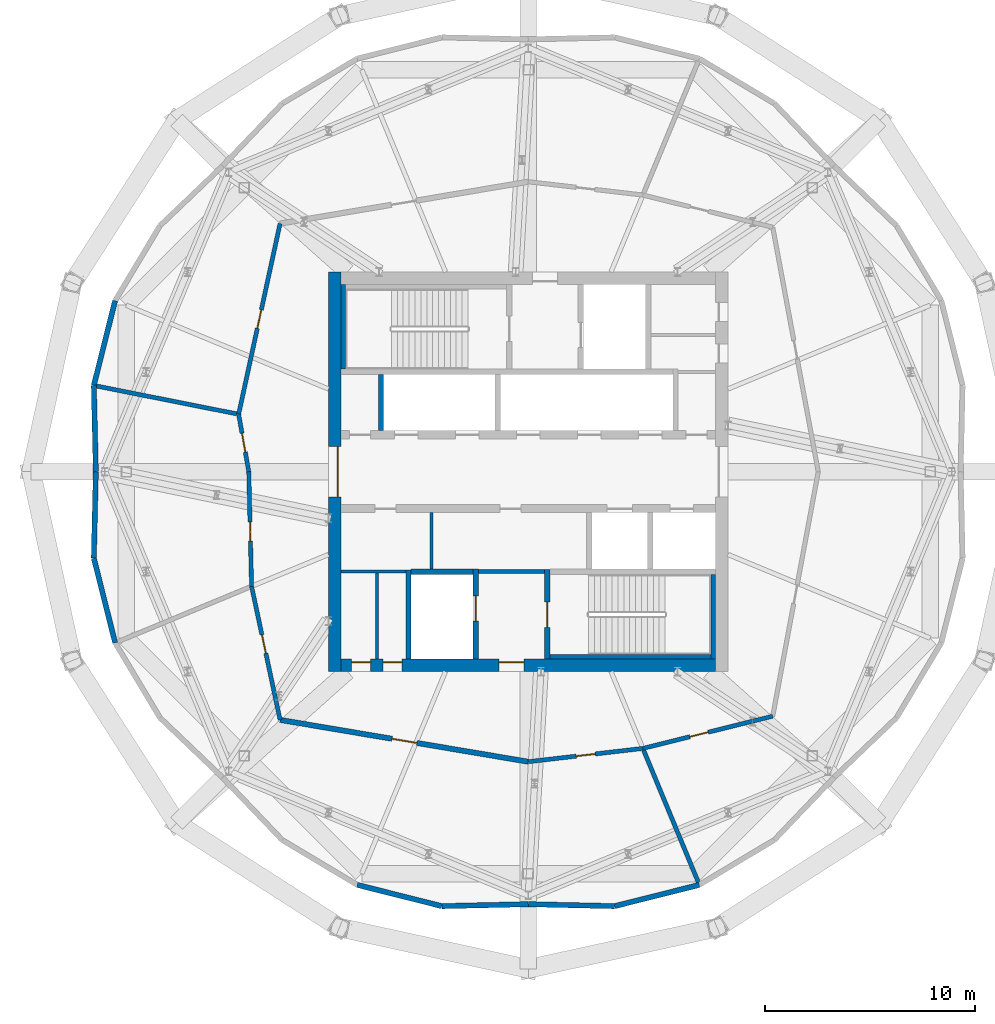
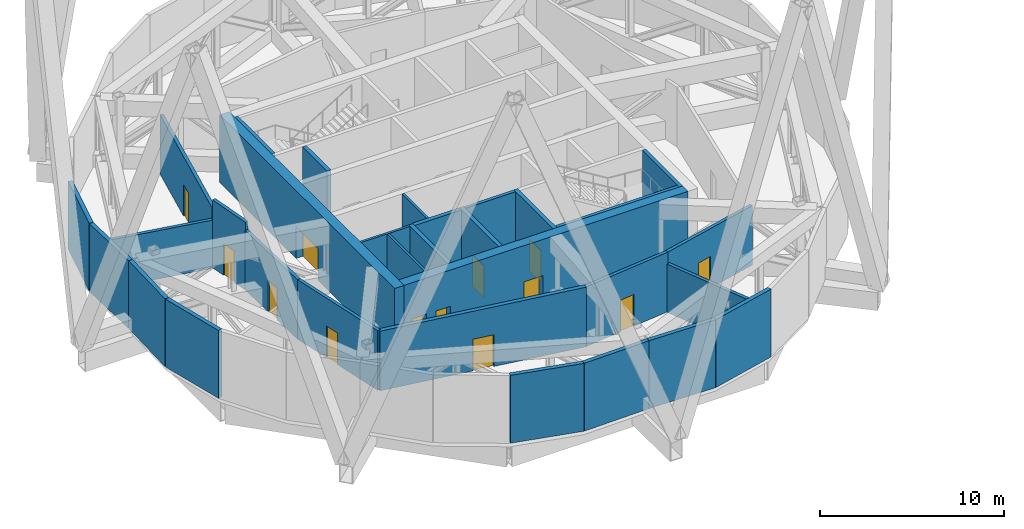
# One storey, part 12 of 19: 31 walls, 13 doors, 13 openings.
"""IFC4 building model written with IfcOpenShell, lengths in metres."""

from ifc_helpers import new_model, si_unit, direction, frame, frame_2d, origin, place, context, subcontext, project, spatial, rectangle, extrude, material, layer, layer_set, type_object, element, fill, save


model = new_model("IFC4")

# Units and contexts
model_context = context("Model", 3, precision=1e-05, world=origin(), true_north=direction((0.0, 1.0)))
body_context = subcontext(model_context, "Body", "Model", "MODEL_VIEW")
ifc_project = project(units=[si_unit("LENGTHUNIT", "METRE"), si_unit("AREAUNIT", "SQUARE_METRE"), si_unit("VOLUMEUNIT", "CUBIC_METRE"), si_unit("PLANEANGLEUNIT", "RADIAN"), si_unit("MASSUNIT", "GRAM", prefix="KILO")], contexts=[model_context])

# Site, building, storey
site_placement = place(None, origin())
site = spatial("IfcSite", under=ifc_project, at=site_placement, CompositionType="ELEMENT")
building_placement = place(site_placement, origin())
building = spatial("IfcBuilding", under=site, at=building_placement, Name="Ogive Gate Towers", CompositionType="ELEMENT")
storey_placement = place(building_placement, frame((0.0, 0.0, 216.300048828125)))
storey = spatial("IfcBuildingStorey", under=building, at=storey_placement, Name="L52", CompositionType="ELEMENT", Elevation=216.300048828125)

# Walls
ifc_material_1 = material(Name="Masonry blockwork", Category="masonry")
ifc_layer_1 = layer(ifc_material_1, 0.199951171875)
ifc_layer_set_1 = layer_set([ifc_layer_1], Name="Blockwork wall 200 mm")
wall_type_1 = type_object("IfcWallType", Name="Blockwork wall 200 mm", PredefinedType="PARTITIONING", material=ifc_layer_set_1)
wall_1_placement = place(storey_placement, frame((-38.375, -4.75, 0.0), z_axis=(0.0, 0.0, 1.0), x_axis=(1.0, 0.0, 0.0)))
element("IfcWall", 1, at=wall_1_placement, inside=storey, type_object=wall_type_1, Name="T1 L52 Blockwork wall 200 mm", PredefinedType="PARTITIONING", context=body_context, shape_type="SweptSolid", body=[
    extrude(rectangle(XDim=3.14990234375, YDim=0.199951171875, at=frame_2d((1.574951171875, 0.0))), origin(), (0.0, 0.0, 1.0), 4.5),
])
ifc_material_2 = material(Name="Fire-rated block compartment wall")
ifc_layer_2 = layer(ifc_material_2, 0.199951171875)
ifc_layer_set_2 = layer_set([ifc_layer_2], Name="Compartment wall 200")
wall_type_2 = type_object("IfcWallType", Name="Compartment wall 200", PredefinedType="PARTITIONING", material=ifc_layer_set_2)
for number, where, z_axis, x_axis, name in (
    (2, (-56.685791015625, 4.10595703125, 0.0), (0.0, 0.0, 1.0), (0.980867447116, -0.194676786463, 0.0), "Partition T1-L52-002"),
    (3, (-27.852783203125, -19.66943359375, 0.0), (0.0, 0.0, 1.0), (-0.382678639085, 0.923881517938, 0.0), "Partition T1-L52-004"),
):
    element("IfcWall", number, at=place(storey_placement, frame(where, z_axis=z_axis, x_axis=x_axis)), inside=storey, type_object=wall_type_2, Name=name, PredefinedType="PARTITIONING", context=body_context, shape_type="SweptSolid", body=[
        extrude(rectangle(XDim=6.948974609375, YDim=0.199951171875, at=frame_2d((3.474609375, 0.0))), origin(), (0.0, 0.0, 1.0), 3.199951171875),
    ])

# Wall, opening, door
wall_2_placement = place(storey_placement, frame((-47.8017578125, 11.8017578125, 0.0), z_axis=(0.0, 0.0, 1.0), x_axis=(-0.212289832387, -0.977206747349, 0.0)))
wall_2 = element("IfcWall", 4, at=wall_2_placement, inside=storey, type_object=wall_type_2, Name="Partition T1-L52-009", PredefinedType="PARTITIONING", context=body_context, shape_type="SweptSolid", body=[
    extrude(rectangle(XDim=9.279541015625, YDim=0.199951171875, at=frame_2d((4.6396484375, 0.0))), origin(), (0.0, 0.0, 1.0), 3.949951171875),
])
opening_1_placement = place(wall_2_placement, frame((4.199951171875, 0.0, 0.0)))
opening_1 = element("IfcOpeningElement", 5, at=opening_1_placement, cuts=wall_2, Name="Opening T1-L52-D05", PredefinedType="OPENING", context=body_context, shape_type="SweptSolid", body=[
    extrude(rectangle(XDim=0.89990234375, YDim=2.10009765625, at=frame_2d((0.449951171875, 1.050048828125))), frame((0.0, 0.10986328125, 0.0), z_axis=(0.0, -1.0, 0.0), x_axis=(1.0, 0.0, 0.0)), (0.0, 0.0, 1.0), 0.219970703125),
])
ifc_material_3 = material(Name="Steel fire door", Category="steel")
door_type_1 = type_object("IfcDoorType", Name="Fire door 900 FD30S", OperationType="NOTDEFINED", PredefinedType="DOOR", material=ifc_material_3)
door_1_placement = place(opening_1_placement, origin())
door_1 = element("IfcDoor", 6, at=door_1_placement, inside=storey, type_object=door_type_1, Name="Door T1-L52-D05", OperationType="SINGLE_SWING_LEFT", OverallHeight=2.10009765625, OverallWidth=0.89990234375, PredefinedType="DOOR", context=body_context, shape_type="SweptSolid", body=[
    extrude(rectangle(XDim=0.89990234375, YDim=2.10009765625, at=frame_2d((0.449951171875, 1.050048828125))), frame((0.0, 0.02490234375, 0.0), z_axis=(0.0, -1.0, 0.0), x_axis=(1.0, 0.0, 0.0)), (0.0, 0.0, 1.0), 0.050048828125),
])
fill(opening_1, door_1)

wall_3_placement = place(storey_placement, frame((-49.771728515625, 2.733642578125, 0.0), z_axis=(0.0, 0.0, 1.0), x_axis=(0.173534451019, -0.984827799318, 0.0)))
wall_3 = element("IfcWall", 7, at=wall_3_placement, inside=storey, type_object=wall_type_2, Name="Partition T1-L52-010", PredefinedType="PARTITIONING", context=body_context, shape_type="SweptSolid", body=[
    extrude(rectangle(XDim=2.77587890625, YDim=0.199951171875, at=frame_2d((1.387939453125, 0.0))), origin(), (0.0, 0.0, 1.0), 4.5),
])
opening_2_placement = place(wall_3_placement, frame((0.923095703125, 0.0, 0.0)))
opening_2 = element("IfcOpeningElement", 8, at=opening_2_placement, cuts=wall_3, Name="Opening T1-L52-D06", PredefinedType="OPENING", context=body_context, shape_type="SweptSolid", body=[
    extrude(rectangle(XDim=0.89990234375, YDim=2.10009765625, at=frame_2d((0.449951171875, 1.050048828125))), frame((0.0, 0.10986328125, 0.0), z_axis=(0.0, -1.0, 0.0), x_axis=(1.0, 0.0, 0.0)), (0.0, 0.0, 1.0), 0.219970703125),
])
door_2_placement = place(opening_2_placement, origin())
door_2 = element("IfcDoor", 9, at=door_2_placement, inside=storey, type_object=door_type_1, Name="Door T1-L52-D06", OperationType="SINGLE_SWING_RIGHT", OverallHeight=2.10009765625, OverallWidth=0.89990234375, PredefinedType="DOOR", context=body_context, shape_type="SweptSolid", body=[
    extrude(rectangle(XDim=0.89990234375, YDim=2.10009765625, at=frame_2d((0.449951171875, 1.050048828125))), frame((0.0, 0.02490234375, 0.0), z_axis=(0.0, -1.0, 0.0), x_axis=(1.0, 0.0, 0.0)), (0.0, 0.0, 1.0), 0.050048828125),
])
fill(opening_2, door_2)

wall_4_placement = place(storey_placement, frame((-49.2900390625, 0.0, 0.0), z_axis=(0.0, 0.0, 1.0), x_axis=(0.024408101087, -0.999702077922, 0.0)))
wall_4 = element("IfcWall", 10, at=wall_4_placement, inside=storey, type_object=wall_type_2, Name="Partition T1-L52-011", PredefinedType="PARTITIONING", context=body_context, shape_type="SweptSolid", body=[
    extrude(rectangle(XDim=5.451416015625, YDim=0.199951171875, at=frame_2d((2.7255859375, 0.0))), origin(), (0.0, 0.0, 1.0), 3.949951171875),
])
opening_3_placement = place(wall_4_placement, frame((2.39990234375, 0.0, 0.0)))
opening_3 = element("IfcOpeningElement", 11, at=opening_3_placement, cuts=wall_4, Name="Opening T1-L52-D07", PredefinedType="OPENING", context=body_context, shape_type="SweptSolid", body=[
    extrude(rectangle(XDim=0.89990234375, YDim=2.10009765625, at=frame_2d((0.449951171875, 1.050048828125))), frame((0.0, 0.10986328125, 0.0), z_axis=(0.0, -1.0, 0.0), x_axis=(1.0, 0.0, 0.0)), (0.0, 0.0, 1.0), 0.219970703125),
])
door_3_placement = place(opening_3_placement, origin())
door_3 = element("IfcDoor", 12, at=door_3_placement, inside=storey, type_object=door_type_1, Name="Door T1-L52-D07", OperationType="SINGLE_SWING_RIGHT", OverallHeight=2.10009765625, OverallWidth=0.89990234375, PredefinedType="DOOR", context=body_context, shape_type="SweptSolid", body=[
    extrude(rectangle(XDim=0.89990234375, YDim=2.10009765625, at=frame_2d((0.449951171875, 1.050048828125))), frame((0.0, 0.02490234375, 0.0), z_axis=(0.0, -1.0, 0.0), x_axis=(1.0, 0.0, 0.0)), (0.0, 0.0, 1.0), 0.050048828125),
])
fill(opening_3, door_3)

wall_5_placement = place(storey_placement, frame((-49.156982421875, -5.44970703125, 0.0), z_axis=(0.0, 0.0, 1.0), x_axis=(0.208656208398, -0.977989052442, 0.0)))
wall_5 = element("IfcWall", 13, at=wall_5_placement, inside=storey, type_object=wall_type_2, Name="Partition T1-L52-012", PredefinedType="PARTITIONING", context=body_context, shape_type="SweptSolid", body=[
    extrude(rectangle(XDim=6.4951171875, YDim=0.199951171875, at=frame_2d((3.24755859375, 0.0))), origin(), (0.0, 0.0, 1.0), 3.949951171875),
])
opening_4_placement = place(wall_5_placement, frame((2.35009765625, 0.0, 0.0)))
opening_4 = element("IfcOpeningElement", 14, at=opening_4_placement, cuts=wall_5, Name="Opening T1-L52-D08", PredefinedType="OPENING", context=body_context, shape_type="SweptSolid", body=[
    extrude(rectangle(XDim=0.89990234375, YDim=2.10009765625, at=frame_2d((0.449951171875, 1.050048828125))), frame((0.0, 0.10986328125, 0.0), z_axis=(0.0, -1.0, 0.0), x_axis=(1.0, 0.0, 0.0)), (0.0, 0.0, 1.0), 0.219970703125),
])
door_4_placement = place(opening_4_placement, origin())
door_4 = element("IfcDoor", 15, at=door_4_placement, inside=storey, type_object=door_type_1, Name="Door T1-L52-D08", OperationType="SINGLE_SWING_RIGHT", OverallHeight=2.10009765625, OverallWidth=0.89990234375, PredefinedType="DOOR", context=body_context, shape_type="SweptSolid", body=[
    extrude(rectangle(XDim=0.89990234375, YDim=2.10009765625, at=frame_2d((0.449951171875, 1.050048828125))), frame((0.0, 0.02490234375, 0.0), z_axis=(0.0, -1.0, 0.0), x_axis=(1.0, 0.0, 0.0)), (0.0, 0.0, 1.0), 0.050048828125),
])
fill(opening_4, door_4)

wall_6_placement = place(storey_placement, frame((-36.0, -13.7900390625, 0.0), z_axis=(0.0, 0.0, 1.0), x_axis=(0.993320552752, 0.115387518739, 0.0)))
wall_6 = element("IfcWall", 16, at=wall_6_placement, inside=storey, type_object=wall_type_2, Name="Partition T1-L52-014", PredefinedType="PARTITIONING", context=body_context, shape_type="SweptSolid", body=[
    extrude(rectangle(XDim=5.486328125, YDim=0.199951171875, at=frame_2d((2.7431640625, 0.0))), origin(), (0.0, 0.0, 1.0), 3.949951171875),
])
opening_5_placement = place(wall_6_placement, frame((2.300048828125, 0.0, 0.0)))
opening_5 = element("IfcOpeningElement", 17, at=opening_5_placement, cuts=wall_6, Name="Opening T1-L52-D10", PredefinedType="OPENING", context=body_context, shape_type="SweptSolid", body=[
    extrude(rectangle(XDim=0.89990234375, YDim=2.10009765625, at=frame_2d((0.449951171875, 1.050048828125))), frame((0.0, 0.10986328125, 0.0), z_axis=(0.0, -1.0, 0.0), x_axis=(1.0, 0.0, 0.0)), (0.0, 0.0, 1.0), 0.219970703125),
])
door_5_placement = place(opening_5_placement, origin())
door_5 = element("IfcDoor", 18, at=door_5_placement, inside=storey, type_object=door_type_1, Name="Door T1-L52-D10", OperationType="SINGLE_SWING_LEFT", OverallHeight=2.10009765625, OverallWidth=0.89990234375, PredefinedType="DOOR", context=body_context, shape_type="SweptSolid", body=[
    extrude(rectangle(XDim=0.89990234375, YDim=2.10009765625, at=frame_2d((0.449951171875, 1.050048828125))), frame((0.0, 0.02490234375, 0.0), z_axis=(0.0, -1.0, 0.0), x_axis=(1.0, 0.0, 0.0)), (0.0, 0.0, 1.0), 0.050048828125),
])
fill(opening_5, door_5)

wall_7_placement = place(storey_placement, frame((-30.55029296875, -13.156982421875, 0.0), z_axis=(0.0, 0.0, 1.0), x_axis=(0.970578810026, 0.240783665411, 0.0)))
wall_7 = element("IfcWall", 19, at=wall_7_placement, inside=storey, type_object=wall_type_2, Name="Partition T1-L52-015", PredefinedType="PARTITIONING", context=body_context, shape_type="SweptSolid", body=[
    extrude(rectangle(XDim=6.362548828125, YDim=0.199951171875, at=frame_2d((3.18115234375, 0.0))), origin(), (0.0, 0.0, 1.0), 3.949951171875),
])
opening_6_placement = place(wall_7_placement, frame((2.300048828125, 0.0, 0.0)))
opening_6 = element("IfcOpeningElement", 20, at=opening_6_placement, cuts=wall_7, Name="Opening T1-L52-D11", PredefinedType="OPENING", context=body_context, shape_type="SweptSolid", body=[
    extrude(rectangle(XDim=0.89990234375, YDim=2.10009765625, at=frame_2d((0.449951171875, 1.050048828125))), frame((0.0, 0.10986328125, 0.0), z_axis=(0.0, -1.0, 0.0), x_axis=(1.0, 0.0, 0.0)), (0.0, 0.0, 1.0), 0.219970703125),
])
door_6_placement = place(opening_6_placement, origin())
door_6 = element("IfcDoor", 21, at=door_6_placement, inside=storey, type_object=door_type_1, Name="Door T1-L52-D11", OperationType="SINGLE_SWING_RIGHT", OverallHeight=2.10009765625, OverallWidth=0.89990234375, PredefinedType="DOOR", context=body_context, shape_type="SweptSolid", body=[
    extrude(rectangle(XDim=0.89990234375, YDim=2.10009765625, at=frame_2d((0.449951171875, 1.050048828125))), frame((0.0, 0.02490234375, 0.0), z_axis=(0.0, -1.0, 0.0), x_axis=(1.0, 0.0, 0.0)), (0.0, 0.0, 1.0), 0.050048828125),
])
fill(opening_6, door_6)

# Wall, openings, doors
ifc_material_4 = material(Name="Concrete C60/75", Category="concrete")
ifc_layer_3 = layer(ifc_material_4, 0.60009765625)
ifc_layer_set_3 = layer_set([ifc_layer_3], Name="Core wall 600 mm")
wall_type_3 = type_object("IfcWallType", Name="Core wall 600 mm", PredefinedType="SHEAR", material=ifc_layer_set_3)
wall_8_placement = place(storey_placement, frame((-44.89990234375, -9.199951171875, 0.0), z_axis=(0.0, 0.0, 1.0), x_axis=(1.0, 0.0, 0.0)))
wall_8 = element("IfcWall", 22, at=wall_8_placement, inside=storey, type_object=wall_type_3, Name="T1 L52 Core wall 600 mm", PredefinedType="SHEAR", context=body_context, shape_type="SweptSolid", body=[
    extrude(rectangle(XDim=17.7998046875, YDim=0.60009765625, at=frame_2d((8.89990234375, 0.0))), origin(), (0.0, 0.0, 1.0), 4.5),
])
opening_7_placement = place(wall_8_placement, frame((7.5, 0.0, 0.0)))
opening_7 = element("IfcOpeningElement", 23, at=opening_7_placement, cuts=wall_8, Name="Opening KD-T1-L52-19", PredefinedType="OPENING", context=body_context, shape_type="SweptSolid", body=[
    extrude(rectangle(XDim=1.199951171875, YDim=2.10009765625, at=frame_2d((0.60009765625, 1.050048828125))), frame((0.0, 0.31005859375, 0.0), z_axis=(0.0, -1.0, 0.0), x_axis=(1.0, 0.0, 0.0)), (0.0, 0.0, 1.0), 0.6201171875),
])
opening_8_placement = place(wall_8_placement, frame((0.5, 0.0, 0.0)))
opening_8 = element("IfcOpeningElement", 24, at=opening_8_placement, cuts=wall_8, Name="Opening KD-T1-L52-22", PredefinedType="OPENING", context=body_context, shape_type="SweptSolid", body=[
    extrude(rectangle(XDim=0.89990234375, YDim=2.10009765625, at=frame_2d((0.449951171875, 1.050048828125))), frame((0.0, 0.31005859375, 0.0), z_axis=(0.0, -1.0, 0.0), x_axis=(1.0, 0.0, 0.0)), (0.0, 0.0, 1.0), 0.6201171875),
])
opening_9_placement = place(wall_8_placement, frame((2.0, 0.0, 0.0)))
opening_9 = element("IfcOpeningElement", 25, at=opening_9_placement, cuts=wall_8, Name="Opening KD-T1-L52-23", PredefinedType="OPENING", context=body_context, shape_type="SweptSolid", body=[
    extrude(rectangle(XDim=0.89990234375, YDim=2.10009765625, at=frame_2d((0.449951171875, 1.050048828125))), frame((0.0, 0.31005859375, 0.0), z_axis=(0.0, -1.0, 0.0), x_axis=(1.0, 0.0, 0.0)), (0.0, 0.0, 1.0), 0.6201171875),
])
door_type_2 = type_object("IfcDoorType", Name="Core door FD60S 1200 x 2100", OperationType="NOTDEFINED", PredefinedType="DOOR", material=ifc_material_3)
door_7_placement = place(opening_7_placement, origin())
door_7 = element("IfcDoor", 26, at=door_7_placement, inside=storey, type_object=door_type_2, Name="T1 L52 Fire-fighting lobby door", OperationType="SINGLE_SWING_RIGHT", OverallHeight=2.10009765625, OverallWidth=1.199951171875, PredefinedType="DOOR", context=body_context, shape_type="SweptSolid", body=[
    extrude(rectangle(XDim=1.199951171875, YDim=2.10009765625, at=frame_2d((0.60009765625, 1.050048828125))), frame((0.0, 0.1748046875, 0.0), z_axis=(0.0, -1.0, 0.0), x_axis=(1.0, 0.0, 0.0)), (0.0, 0.0, 1.0), 0.050048828125),
])
fill(opening_7, door_7)
door_type_3 = type_object("IfcDoorType", Name="Core door FD60S 900 x 2100", OperationType="NOTDEFINED", PredefinedType="DOOR", material=ifc_material_3)
door_8_placement = place(opening_8_placement, origin())
door_8 = element("IfcDoor", 27, at=door_8_placement, inside=storey, type_object=door_type_3, Name="T1 L52 Core door", OperationType="SINGLE_SWING_LEFT", OverallHeight=2.10009765625, OverallWidth=0.89990234375, PredefinedType="DOOR", context=body_context, shape_type="SweptSolid", body=[
    extrude(rectangle(XDim=0.89990234375, YDim=2.10009765625, at=frame_2d((0.449951171875, 1.050048828125))), frame((0.0, 0.1748046875, 0.0), z_axis=(0.0, -1.0, 0.0), x_axis=(1.0, 0.0, 0.0)), (0.0, 0.0, 1.0), 0.050048828125),
])
fill(opening_8, door_8)
door_9_placement = place(opening_9_placement, origin())
door_9 = element("IfcDoor", 28, at=door_9_placement, inside=storey, type_object=door_type_3, Name="T1 L52 Core door", OperationType="SINGLE_SWING_RIGHT", OverallHeight=2.10009765625, OverallWidth=0.89990234375, PredefinedType="DOOR", context=body_context, shape_type="SweptSolid", body=[
    extrude(rectangle(XDim=0.89990234375, YDim=2.10009765625, at=frame_2d((0.449951171875, 1.050048828125))), frame((0.0, 0.1748046875, 0.0), z_axis=(0.0, -1.0, 0.0), x_axis=(1.0, 0.0, 0.0)), (0.0, 0.0, 1.0), 0.050048828125),
])
fill(opening_9, door_9)

# Wall, opening, door
wall_9_placement = place(storey_placement, frame((-45.199951171875, -9.5, 0.0), z_axis=(0.0, 0.0, 1.0), x_axis=(0.0, 1.0, 0.0)))
wall_9 = element("IfcWall", 29, at=wall_9_placement, inside=storey, type_object=wall_type_3, Name="T1 L52 Core wall 600 mm", PredefinedType="SHEAR", context=body_context, shape_type="SweptSolid", body=[
    extrude(rectangle(XDim=19.0, YDim=0.60009765625, at=frame_2d((9.5, 0.0))), origin(), (0.0, 0.0, 1.0), 4.5),
])
opening_10_placement = place(wall_9_placement, frame((8.300048828125, 0.0, 0.0)))
opening_10 = element("IfcOpeningElement", 30, at=opening_10_placement, cuts=wall_9, Name="Opening KD-T1-L52-01", PredefinedType="OPENING", context=body_context, shape_type="SweptSolid", body=[
    extrude(rectangle(XDim=2.39990234375, YDim=2.10009765625, at=frame_2d((1.199951171875, 1.050048828125))), frame((0.0, 0.31005859375, 0.0), z_axis=(0.0, -1.0, 0.0), x_axis=(1.0, 0.0, 0.0)), (0.0, 0.0, 1.0), 0.6201171875),
])
door_type_4 = type_object("IfcDoorType", Name="Core double door FD60S 2400 x 2100", OperationType="DOUBLE_DOOR_SINGLE_SWING", PredefinedType="DOOR", material=ifc_material_3)
door_10_placement = place(opening_10_placement, origin())
door_10 = element("IfcDoor", 31, at=door_10_placement, inside=storey, type_object=door_type_4, Name="T1 L52 Core door double", OperationType="DOUBLE_DOOR_SINGLE_SWING", OverallHeight=2.10009765625, OverallWidth=2.39990234375, PredefinedType="DOOR", context=body_context, shape_type="SweptSolid", body=[
    extrude(rectangle(XDim=2.39990234375, YDim=2.10009765625, at=frame_2d((1.199951171875, 1.050048828125))), frame((0.0, -0.125, 0.0), z_axis=(0.0, -1.0, 0.0), x_axis=(1.0, 0.0, 0.0)), (0.0, 0.0, 1.0), 0.050048828125),
])
fill(opening_10, door_10)

# Walls
ifc_material_5 = material(Name="Pale metal aluminium louvre", Category="aluminium")
ifc_layer_4 = layer(ifc_material_5, 0.25)
ifc_layer_set_4 = layer_set([ifc_layer_4], Name="Plant louvre wall")
wall_type_4 = type_object("IfcWallType", Name="Plant louvre wall", PredefinedType="SOLIDWALL", material=ifc_layer_set_4)
wall_10_placement = place(storey_placement, frame((-55.64599609375, 8.1376953125, 0.0), z_axis=(0.0, 0.0, 1.0), x_axis=(-0.244154126363, -0.969736439751, 0.0)))
element("IfcWall", 32, at=wall_10_placement, inside=storey, type_object=wall_type_4, Name="Plant louvre wall", PredefinedType="SOLIDWALL", context=body_context, shape_type="SweptSolid", body=[
    extrude(rectangle(XDim=4.15185546875, YDim=0.25, at=frame_2d((2.075927734375, 0.0))), origin(), (0.0, 0.0, 1.0), 4.5),
])
for number, where, z_axis, x_axis, name in (
    (33, (-56.65966796875, 4.111572265625, 0.0), (0.0, 0.0, 1.0), (0.02303289986, -0.999734707572, 0.0), "Plant louvre wall"),
    (34, (-56.56494140625, 0.0, 0.0), (0.0, 0.0, 1.0), (-0.02303289986, -0.999734707572, 0.0), "Plant louvre wall"),
):
    element("IfcWall", number, at=place(storey_placement, frame(where, z_axis=z_axis, x_axis=x_axis)), inside=storey, type_object=wall_type_4, Name=name, PredefinedType="SOLIDWALL", context=body_context, shape_type="SweptSolid", body=[
        extrude(rectangle(XDim=4.112548828125, YDim=0.25, at=frame_2d((2.05615234375, 0.0))), origin(), (0.0, 0.0, 1.0), 4.5),
    ])
for number, where, z_axis, x_axis, name in (
    (35, (-56.65966796875, -4.111572265625, 0.0), (0.0, 0.0, 1.0), (0.244154126363, -0.969736439751, 0.0), "Plant louvre wall"),
    (36, (-44.1376953125, -19.64599609375, 0.0), (0.0, 0.0, 1.0), (0.969736439751, -0.244154126363, 0.0), "Plant louvre wall"),
):
    element("IfcWall", number, at=place(storey_placement, frame(where, z_axis=z_axis, x_axis=x_axis)), inside=storey, type_object=wall_type_4, Name=name, PredefinedType="SOLIDWALL", context=body_context, shape_type="SweptSolid", body=[
        extrude(rectangle(XDim=4.15185546875, YDim=0.25, at=frame_2d((2.075927734375, 0.0))), origin(), (0.0, 0.0, 1.0), 4.5),
    ])
for number, where, z_axis, x_axis, name in (
    (37, (-40.111572265625, -20.65966796875, 0.0), (0.0, 0.0, 1.0), (0.999734707572, 0.02303289986, 0.0), "Plant louvre wall"),
    (38, (-36.0, -20.56494140625, 0.0), (0.0, 0.0, 1.0), (0.999734707572, -0.02303289986, 0.0), "Plant louvre wall"),
):
    element("IfcWall", number, at=place(storey_placement, frame(where, z_axis=z_axis, x_axis=x_axis)), inside=storey, type_object=wall_type_4, Name=name, PredefinedType="SOLIDWALL", context=body_context, shape_type="SweptSolid", body=[
        extrude(rectangle(XDim=4.112548828125, YDim=0.25, at=frame_2d((2.05615234375, 0.0))), origin(), (0.0, 0.0, 1.0), 4.5),
    ])
wall_11_placement = place(storey_placement, frame((-31.888427734375, -20.65966796875, 0.0), z_axis=(0.0, 0.0, 1.0), x_axis=(0.969736439751, 0.244154126363, 0.0)))
element("IfcWall", 39, at=wall_11_placement, inside=storey, type_object=wall_type_4, Name="Plant louvre wall", PredefinedType="SOLIDWALL", context=body_context, shape_type="SweptSolid", body=[
    extrude(rectangle(XDim=4.15185546875, YDim=0.25, at=frame_2d((2.075927734375, 0.0))), origin(), (0.0, 0.0, 1.0), 4.5),
])

# Wall, opening, door
ifc_material_6 = material(Name="Fire-rated concrete block wall", Category="concrete")
ifc_layer_5 = layer(ifc_material_6, 0.25)
ifc_layer_set_5 = layer_set([ifc_layer_5], Name="Refuge compartment wall 250")
wall_type_5 = type_object("IfcWallType", Name="Refuge compartment wall 250", PredefinedType="PARTITIONING", material=ifc_layer_set_5)
wall_12_placement = place(storey_placement, frame((-47.8017578125, -11.8017578125, 0.0), z_axis=(0.0, 0.0, 1.0), x_axis=(0.986103502198, -0.166132124988, 0.0)))
wall_12 = element("IfcWall", 40, at=wall_12_placement, inside=storey, type_object=wall_type_5, Name="Partition T1-L52-013", PredefinedType="PARTITIONING", context=body_context, shape_type="SweptSolid", body=[
    extrude(rectangle(XDim=11.968017578125, YDim=0.25, at=frame_2d((5.98388671875, 0.0))), origin(), (0.0, 0.0, 1.0), 3.949951171875),
])
opening_11_placement = place(wall_12_placement, frame((5.39990234375, 0.0, 0.0)))
opening_11 = element("IfcOpeningElement", 41, at=opening_11_placement, cuts=wall_12, Name="Opening T1-L52-D09", PredefinedType="OPENING", context=body_context, shape_type="SweptSolid", body=[
    extrude(rectangle(XDim=1.199951171875, YDim=2.10009765625, at=frame_2d((0.60009765625, 1.050048828125))), frame((0.0, 0.135009765625, 0.0), z_axis=(0.0, -1.0, 0.0), x_axis=(1.0, 0.0, 0.0)), (0.0, 0.0, 1.0), 0.27001953125),
])
door_type_5 = type_object("IfcDoorType", Name="Fire door 1200 FD60S", OperationType="NOTDEFINED", PredefinedType="DOOR", material=ifc_material_3)
door_11_placement = place(opening_11_placement, origin())
door_11 = element("IfcDoor", 42, at=door_11_placement, inside=storey, type_object=door_type_5, Name="Door T1-L52-D09", OperationType="SINGLE_SWING_RIGHT", OverallHeight=2.10009765625, OverallWidth=1.199951171875, PredefinedType="DOOR", context=body_context, shape_type="SweptSolid", body=[
    extrude(rectangle(XDim=1.199951171875, YDim=2.10009765625, at=frame_2d((0.60009765625, 1.050048828125))), frame((0.0, 0.02490234375, 0.0), z_axis=(0.0, -1.0, 0.0), x_axis=(1.0, 0.0, 0.0)), (0.0, 0.0, 1.0), 0.050048828125),
])
fill(opening_11, door_11)

# Walls
ifc_material_7 = material(Name="Gypsum board partition")
ifc_layer_6 = layer(ifc_material_7, 0.14990234375)
ifc_layer_set_6 = layer_set([ifc_layer_6], Name="Room partition 150 mm")
wall_type_6 = type_object("IfcWallType", Name="Room partition 150 mm", PredefinedType="PARTITIONING", material=ifc_layer_set_6)
wall_13_placement = place(storey_placement, frame((-44.89990234375, -4.75, 0.0), z_axis=(0.0, 0.0, 1.0), x_axis=(1.0, 0.0, 0.0)))
element("IfcWall", 43, at=wall_13_placement, inside=storey, type_object=wall_type_6, Name="T1 L52 Room partition 150 mm", PredefinedType="PARTITIONING", context=body_context, shape_type="SweptSolid", body=[
    extrude(rectangle(XDim=3.074951171875, YDim=0.14990234375, at=frame_2d((1.53759765625, 0.0))), origin(), (0.0, 0.0, 1.0), 4.5),
])
wall_14_placement = place(storey_placement, frame((-43.199951171875, -8.89990234375, 0.0), z_axis=(0.0, 0.0, 1.0), x_axis=(0.0, 1.0, 0.0)))
element("IfcWall", 44, at=wall_14_placement, inside=storey, type_object=wall_type_6, Name="T1 L52 Room partition 150 mm", PredefinedType="PARTITIONING", context=body_context, shape_type="SweptSolid", body=[
    extrude(rectangle(XDim=4.074951171875, YDim=0.14990234375, at=frame_2d((2.03759765625, 0.0))), origin(), (0.0, 0.0, 1.0), 4.5),
])
wall_15_placement = place(storey_placement, frame((-40.60009765625, -4.625, 0.0), z_axis=(0.0, 0.0, 1.0), x_axis=(0.0, 1.0, 0.0)))
element("IfcWall", 45, at=wall_15_placement, inside=storey, type_object=wall_type_6, Name="T1 L52 Room partition 150 mm", PredefinedType="PARTITIONING", context=body_context, shape_type="SweptSolid", body=[
    extrude(rectangle(XDim=2.675048828125, YDim=0.14990234375, at=frame_2d((1.33740234375, 0.0))), origin(), (0.0, 0.0, 1.0), 4.5),
])
ifc_layer_7 = layer(ifc_material_4, 0.25)
ifc_layer_set_7 = layer_set([ifc_layer_7], Name="Shaft wall 250 mm")
wall_type_7 = type_object("IfcWallType", Name="Shaft wall 250 mm", PredefinedType="SHEAR", material=ifc_layer_set_7)
wall_16_placement = place(storey_placement, frame((-41.574951171875, -4.75, 0.0), z_axis=(0.0, 0.0, 1.0), x_axis=(1.0, 0.0, 0.0)))
element("IfcWall", 46, at=wall_16_placement, inside=storey, type_object=wall_type_7, Name="T1 L52 Shaft wall 250 mm", PredefinedType="SHEAR", context=body_context, shape_type="SweptSolid", body=[
    extrude(rectangle(XDim=2.949951171875, YDim=0.25, at=frame_2d((1.47509765625, 0.0))), origin(), (0.0, 0.0, 1.0), 4.5),
])
wall_17_placement = place(storey_placement, frame((-43.0, 1.949951171875, 0.0), z_axis=(0.0, 0.0, 1.0), x_axis=(0.0, 1.0, 0.0)))
element("IfcWall", 47, at=wall_17_placement, inside=storey, type_object=wall_type_7, Name="T1 L52 Shaft wall 250 mm", PredefinedType="SHEAR", context=body_context, shape_type="SweptSolid", body=[
    extrude(rectangle(XDim=2.675048828125, YDim=0.25, at=frame_2d((1.33740234375, 0.0))), origin(), (0.0, 0.0, 1.0), 4.5),
])
wall_18_placement = place(storey_placement, frame((-41.699951171875, -8.89990234375, 0.0), z_axis=(0.0, 0.0, 1.0), x_axis=(0.0, 1.0, 0.0)))
element("IfcWall", 48, at=wall_18_placement, inside=storey, type_object=wall_type_7, Name="T1 L52 Shaft wall 250 mm", PredefinedType="SHEAR", context=body_context, shape_type="SweptSolid", body=[
    extrude(rectangle(XDim=4.224853515625, YDim=0.25, at=frame_2d((2.1123046875, 0.0))), origin(), (0.0, 0.0, 1.0), 4.5),
])

# Wall, opening, door
wall_19_placement = place(storey_placement, frame((-38.5, -8.89990234375, 0.0), z_axis=(0.0, 0.0, 1.0), x_axis=(0.0, 1.0, 0.0)))
wall_19 = element("IfcWall", 49, at=wall_19_placement, inside=storey, type_object=wall_type_7, Name="T1 L52 Shaft wall 250 mm", PredefinedType="SHEAR", context=body_context, shape_type="SweptSolid", body=[
    extrude(rectangle(XDim=4.27490234375, YDim=0.25, at=frame_2d((2.137451171875, 0.0))), origin(), (0.0, 0.0, 1.0), 4.5),
])
opening_12_placement = place(wall_19_placement, frame((1.800048828125, 0.0, 0.0)))
opening_12 = element("IfcOpeningElement", 50, at=opening_12_placement, cuts=wall_19, Name="Opening LD-T1-L52-13", PredefinedType="OPENING", context=body_context, shape_type="SweptSolid", body=[
    extrude(rectangle(XDim=1.199951171875, YDim=2.10009765625, at=frame_2d((0.60009765625, 1.050048828125))), frame((0.0, 0.135009765625, 0.0), z_axis=(0.0, -1.0, 0.0), x_axis=(1.0, 0.0, 0.0)), (0.0, 0.0, 1.0), 0.27001953125),
])
ifc_material_8 = material(Name="Stainless steel landing door", Category="steel")
door_type_6 = type_object("IfcDoorType", Name="Landing door 1200 x 2100", OperationType="SLIDING_TO_LEFT", PredefinedType="DOOR", material=ifc_material_8)
door_12_placement = place(opening_12_placement, origin())
door_12 = element("IfcDoor", 51, at=door_12_placement, inside=storey, type_object=door_type_6, Name="T1 L52 Lift landing door FF2", OperationType="SLIDING_TO_LEFT", OverallHeight=2.10009765625, OverallWidth=1.199951171875, PredefinedType="DOOR", context=body_context, shape_type="SweptSolid", body=[
    extrude(rectangle(XDim=1.199951171875, YDim=2.10009765625, at=frame_2d((0.60009765625, 1.050048828125))), frame((0.0, 0.02490234375, 0.0), z_axis=(0.0, -1.0, 0.0), x_axis=(1.0, 0.0, 0.0)), (0.0, 0.0, 1.0), 0.050048828125),
])
fill(opening_12, door_12)

wall_20_placement = place(storey_placement, frame((-35.10009765625, -8.89990234375, 0.0), z_axis=(0.0, 0.0, 1.0), x_axis=(0.0, 1.0, 0.0)))
wall_20 = element("IfcWall", 52, at=wall_20_placement, inside=storey, type_object=wall_type_7, Name="T1 L52 Shaft wall 250 mm", PredefinedType="SHEAR", context=body_context, shape_type="SweptSolid", body=[
    extrude(rectangle(XDim=4.25, YDim=0.25, at=frame_2d((2.125, 0.0))), origin(), (0.0, 0.0, 1.0), 4.5),
])
opening_13_placement = place(wall_20_placement, frame((1.5, 0.0, 0.0)))
opening_13 = element("IfcOpeningElement", 53, at=opening_13_placement, cuts=wall_20, Name="Opening KD-T1-L52-17", PredefinedType="OPENING", context=body_context, shape_type="SweptSolid", body=[
    extrude(rectangle(XDim=1.199951171875, YDim=2.10009765625, at=frame_2d((0.60009765625, 1.050048828125))), frame((0.0, 0.135009765625, 0.0), z_axis=(0.0, -1.0, 0.0), x_axis=(1.0, 0.0, 0.0)), (0.0, 0.0, 1.0), 0.27001953125),
])
door_13_placement = place(opening_13_placement, origin())
door_13 = element("IfcDoor", 54, at=door_13_placement, inside=storey, type_object=door_type_2, Name="T1 L52 Stair door", OperationType="SINGLE_SWING_RIGHT", OverallHeight=2.10009765625, OverallWidth=1.199951171875, PredefinedType="DOOR", context=body_context, shape_type="SweptSolid", body=[
    extrude(rectangle(XDim=1.199951171875, YDim=2.10009765625, at=frame_2d((0.60009765625, 1.050048828125))), frame((0.0, 0.02490234375, 0.0), z_axis=(0.0, -1.0, 0.0), x_axis=(1.0, 0.0, 0.0)), (0.0, 0.0, 1.0), 0.050048828125),
])
fill(opening_13, door_13)

# Walls
ifc_layer_8 = layer(ifc_material_4, 0.199951171875)
ifc_layer_set_8 = layer_set([ifc_layer_8], Name="Stair wall 200 mm")
wall_type_8 = type_object("IfcWallType", Name="Stair wall 200 mm", PredefinedType="SHEAR", material=ifc_layer_set_8)
wall_21_placement = place(storey_placement, frame((-34.97509765625, -8.800048828125, 0.0), z_axis=(0.0, 0.0, 1.0), x_axis=(1.0, 0.0, 0.0)))
element("IfcWall", 55, at=wall_21_placement, inside=storey, type_object=wall_type_8, Name="T1 L52 Stair wall 200 mm", PredefinedType="SHEAR", context=body_context, shape_type="SweptSolid", body=[
    extrude(rectangle(XDim=7.675048828125, YDim=0.199951171875, at=frame_2d((3.83740234375, 0.0))), origin(), (0.0, 0.0, 1.0), 4.5),
])
for number, where, z_axis, x_axis, name in (
    (56, (-44.800048828125, 4.875, 0.0), (0.0, 0.0, 1.0), (0.0, 1.0, 0.0), "T1 L52 Stair wall 200 mm"),
    (57, (-27.199951171875, -8.89990234375, 0.0), (0.0, 0.0, 1.0), (0.0, 1.0, 0.0), "T1 L52 Stair wall 200 mm"),
):
    element("IfcWall", number, at=place(storey_placement, frame(where, z_axis=z_axis, x_axis=x_axis)), inside=storey, type_object=wall_type_8, Name=name, PredefinedType="SHEAR", context=body_context, shape_type="SweptSolid", body=[
        extrude(rectangle(XDim=4.02490234375, YDim=0.199951171875, at=frame_2d((2.012451171875, 0.0))), origin(), (0.0, 0.0, 1.0), 4.5),
    ])

save(model, "model.ifc")
